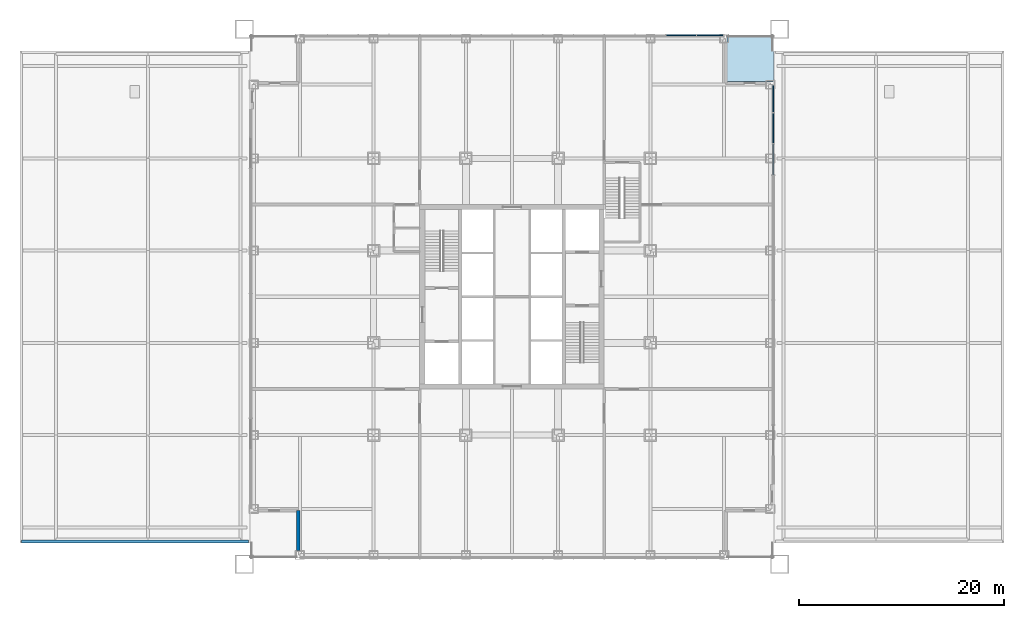
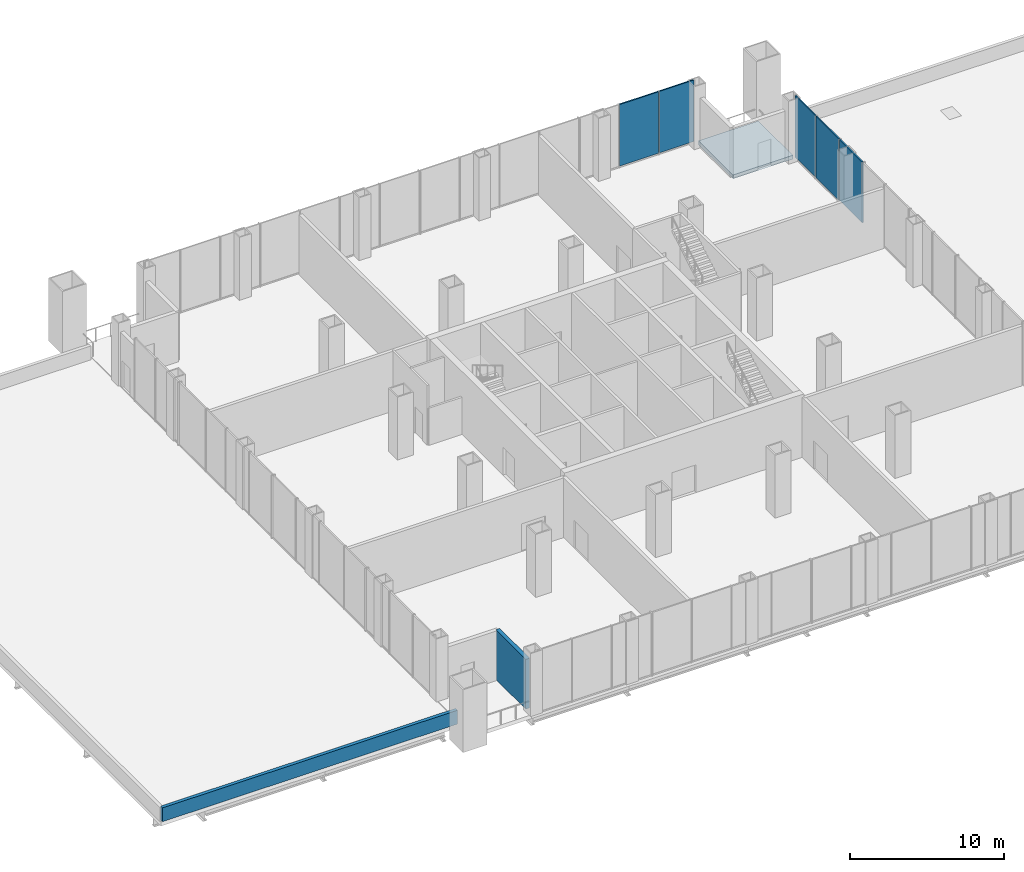
# One storey, part 13 of 16: 5 plates, 2 walls, 1 slab, 2 elements without a shape of their own.
"""IFC4 building model written with IfcOpenShell, lengths in metres."""

from ifc_helpers import new_model, si_unit, direction, frame, frame_2d, origin, origin_2d, place, context, subcontext, project, spatial, polyline, rectangle, outline, extrude, material, layer, layer_set, type_object, element, aggregate, save


model = new_model("IFC4")

# Units and contexts
model_context = context("Model", 3, precision=1e-05, world=origin(), true_north=direction((0.0, 1.0)))
body_context = subcontext(model_context, "Body", "Model", "MODEL_VIEW")
ifc_project = project(units=[si_unit("LENGTHUNIT", "METRE"), si_unit("AREAUNIT", "SQUARE_METRE"), si_unit("VOLUMEUNIT", "CUBIC_METRE"), si_unit("PLANEANGLEUNIT", "RADIAN"), si_unit("MASSUNIT", "GRAM", prefix="KILO")], contexts=[model_context])

# Site, building, storey
site_placement = place(None, origin())
site = spatial("IfcSite", under=ifc_project, at=site_placement, CompositionType="ELEMENT")
building_placement = place(site_placement, origin())
building = spatial("IfcBuilding", under=site, at=building_placement, Name="Malebo Sky Hospital", CompositionType="ELEMENT")
storey_placement = place(building_placement, frame((0.0, 0.0, 26.0)))
storey = spatial("IfcBuildingStorey", under=building, at=storey_placement, Name="L05", CompositionType="ELEMENT", Elevation=26.0)

# Curtain wall, plates
ifc_material_1 = material(Name="Anodised aluminium, natural silver", Category="aluminium")
ifc_layer_1 = layer(ifc_material_1, 0.25)
ifc_layer_set_1 = layer_set([ifc_layer_1], Name="PLANT LOUVRE SCREEN")
curtain_wall_type = type_object("IfcCurtainWallType", Name="PLANT LOUVRE SCREEN", PredefinedType="NOTDEFINED", material=ifc_layer_set_1)
curtain_wall_1_placement = place(storey_placement, origin())
curtain_wall_1 = element("IfcCurtainWall", 1, at=curtain_wall_1_placement, inside=storey, type_object=curtain_wall_type, Name="PLANT curtain wall N", PredefinedType="NOTDEFINED")
ifc_layer_2 = layer(ifc_material_1, 0.10009765625)
ifc_layer_set_2 = layer_set([ifc_layer_2], Name="LOUVRE PANEL 100")
plate_type = type_object("IfcPlateType", Name="LOUVRE PANEL 100", PredefinedType="CURTAIN_PANEL", material=ifc_layer_set_2)
plate_1_placement = place(storey_placement, frame((76.5, 87.5, 0.10009765625), z_axis=(0.0, 0.0, 1.0), x_axis=(1.0, 0.0, 0.0)))
plate_1 = element("IfcPlate", 2, at=plate_1_placement, type_object=plate_type, Name="Panel 13", PredefinedType="CURTAIN_PANEL", context=body_context, shape_type="SweptSolid", body=[
    extrude(rectangle(XDim=2.925048828125, YDim=0.10009765625, at=origin_2d()), origin(), (0.0, 0.0, 1.0), 4.889892578125),
])
plate_2_placement = place(storey_placement, frame((79.331298828125, 87.5, 0.10009765625), z_axis=(0.0, 0.0, 1.0), x_axis=(1.0, 0.0, 0.0)))
plate_2 = element("IfcPlate", 3, at=plate_2_placement, type_object=plate_type, Name="Panel 14", PredefinedType="CURTAIN_PANEL", context=body_context, shape_type="SweptSolid", body=[
    extrude(rectangle(XDim=2.58740234375, YDim=0.10009765625, at=origin_2d()), origin(), (0.0, 0.0, 1.0), 4.889892578125),
])
aggregate(curtain_wall_1, [plate_1, plate_2])

curtain_wall_2_placement = place(storey_placement, origin())
curtain_wall_2 = element("IfcCurtainWall", 4, at=curtain_wall_2_placement, inside=storey, type_object=curtain_wall_type, Name="PLANT curtain wall E", PredefinedType="NOTDEFINED")
plate_3_placement = place(storey_placement, frame((85.5, 81.30810546875, 0.10009765625), z_axis=(0.0, 0.0, 1.0), x_axis=(0.0, -1.0, 0.0)))
plate_3 = element("IfcPlate", 5, at=plate_3_placement, type_object=plate_type, Name="Panel 1", PredefinedType="CURTAIN_PANEL", context=body_context, shape_type="SweptSolid", body=[
    extrude(rectangle(XDim=2.6337890625, YDim=0.10009765625, at=origin_2d()), origin(), (0.0, 0.0, 1.0), 4.889892578125),
])
plate_4_placement = place(storey_placement, frame((85.5, 78.4306640625, 0.10009765625), z_axis=(0.0, 0.0, 1.0), x_axis=(0.0, -1.0, 0.0)))
plate_4 = element("IfcPlate", 6, at=plate_4_placement, type_object=plate_type, Name="Panel 2", PredefinedType="CURTAIN_PANEL", context=body_context, shape_type="SweptSolid", body=[
    extrude(rectangle(XDim=2.97119140625, YDim=0.10009765625, at=origin_2d()), origin(), (0.0, 0.0, 1.0), 4.889892578125),
])
plate_5_placement = place(storey_placement, frame((85.5, 75.384521484375, 0.1669921875), z_axis=(0.0, 0.0, 1.0), x_axis=(0.0, -1.0, 0.0)))
plate_5 = element("IfcPlate", 7, at=plate_5_placement, type_object=plate_type, Name="Panel 3", PredefinedType="CURTAIN_PANEL", context=body_context, shape_type="SweptSolid", body=[
    extrude(outline(polyline([(-1.485595703125, 0.0), (1.485595703125, 0.0), (1.485595703125, 4.822998046875), (-1.485595703125, 4.822998046875), (-1.485595703125, 0.0)])), frame((0.0, 0.050048828125, 0.0), z_axis=(0.0, -1.0, 0.0), x_axis=(1.0, 0.0, 0.0)), (0.0, 0.0, 1.0), 0.10009765625),
])
aggregate(curtain_wall_2, [plate_3, plate_4, plate_5])

# Slab
ifc_material_2 = material(Name="Concrete C40/50", Category="concrete")
ifc_layer_3 = layer(ifc_material_2, 0.300048828125)
ifc_layer_set_3 = layer_set([ifc_layer_3], Name="ROOF SLAB 300")
slab_type = type_object("IfcSlabType", Name="ROOF SLAB 300", PredefinedType="ROOF", material=ifc_layer_set_3)
slab_placement = place(storey_placement, frame((0.0, 0.0, -0.300048828125)))
element("IfcSlab", 8, at=slab_placement, inside=storey, type_object=slab_type, Name="Podium roof corner 4", PredefinedType="ROOF", context=body_context, shape_type="SweptSolid", body=[
    extrude(outline(polyline([(81.0, 87.5), (81.0, 83.0), (85.5, 83.0), (85.5, 87.5), (81.0, 87.5)])), origin(), (0.0, 0.0, 1.0), 0.300048828125),
])

# Walls
ifc_material_3 = material(Name="Anodised aluminium rainscreen on steel framing", Category="steel")
ifc_layer_4 = layer(ifc_material_3, 0.300048828125)
ifc_layer_set_4 = layer_set([ifc_layer_4], Name="NOTCH RAINSCREEN WALL 300")
wall_type_1 = type_object("IfcWallType", Name="NOTCH RAINSCREEN WALL 300", PredefinedType="ELEMENTEDWALL", material=ifc_layer_set_4)
wall_1_placement = place(storey_placement, frame((39.14990234375, 37.25, 0.0), z_axis=(0.0, 0.0, 1.0), x_axis=(0.0, 1.0, 0.0)))
element("IfcWall", 9, at=wall_1_placement, inside=storey, type_object=wall_type_1, Name="Notch rainscreen wall S1 L05", PredefinedType="ELEMENTEDWALL", context=body_context, shape_type="SweptSolid", body=[
    extrude(rectangle(XDim=3.89990234375, YDim=0.300048828125, at=frame_2d((1.949951171875, 0.0))), origin(), (0.0, 0.0, 1.0), 3.949951171875),
])
ifc_material_4 = material(Name="Reinforced concrete upstand with aluminium coping", Category="concrete")
ifc_layer_5 = layer(ifc_material_4, 0.25)
ifc_layer_set_5 = layer_set([ifc_layer_5], Name="PARAPET 250")
wall_type_2 = type_object("IfcWallType", Name="PARAPET 250", PredefinedType="PARAPET", material=ifc_layer_set_5)
wall_2_placement = place(storey_placement, frame((12.125, 38.125, 0.0), z_axis=(0.0, 0.0, 1.0), x_axis=(1.0, 0.0, 0.0)))
element("IfcWall", 10, at=wall_2_placement, inside=storey, type_object=wall_type_2, Name="Podium roof parapet WS", PredefinedType="PARAPET", context=body_context, shape_type="SweptSolid", body=[
    extrude(rectangle(XDim=22.175048828125, YDim=0.25, at=frame_2d((11.08740234375, 0.0))), origin(), (0.0, 0.0, 1.0), 1.10009765625),
])

save(model, "model.ifc")
